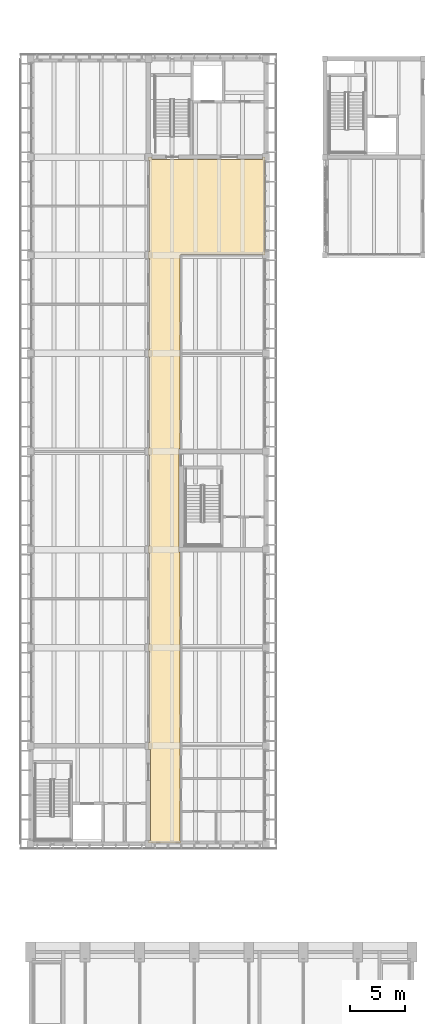
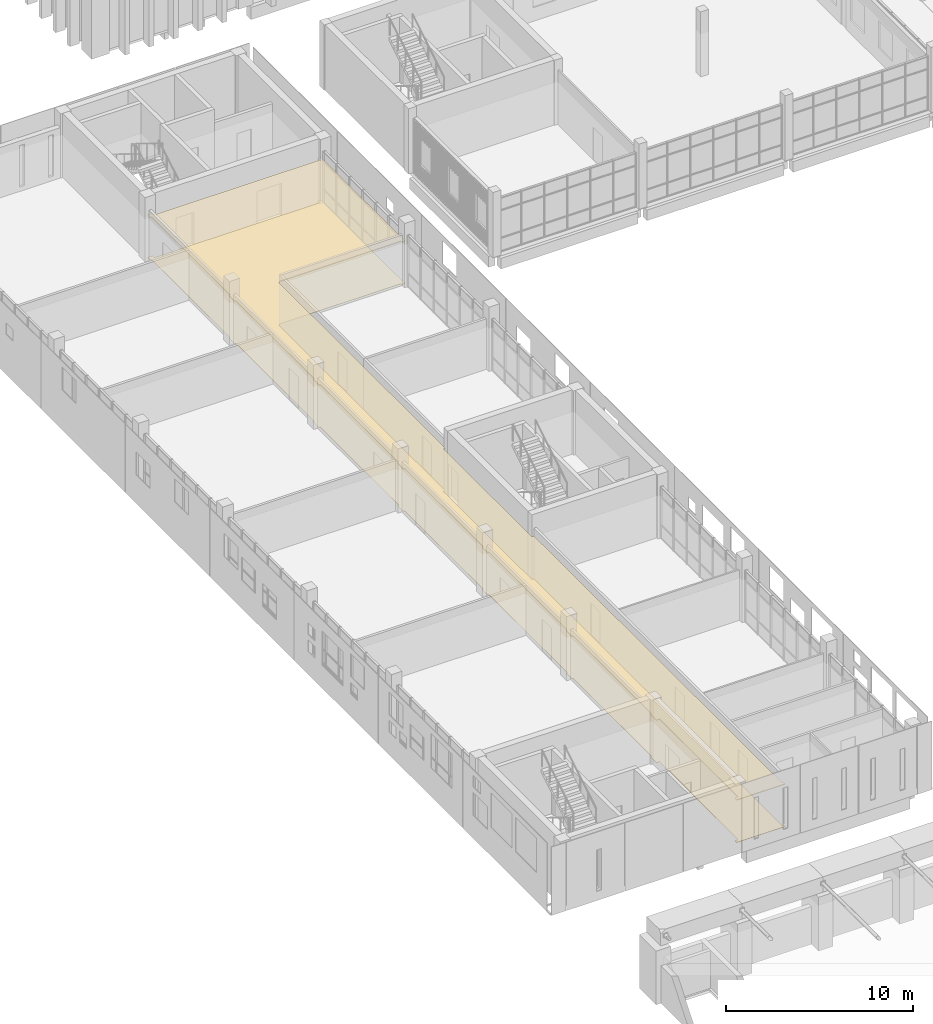
# One storey, part 78 of 92: 2 coverings.
"""IFC4 building model written with IfcOpenShell, lengths in metres."""

from ifc_helpers import new_model, si_unit, direction, frame, origin, place, context, subcontext, project, spatial, polyline, outline, extrude, material, layer, layer_set, type_object, element, save


model = new_model("IFC4")

# Units and contexts
model_context = context("Model", 3, precision=1e-05, world=origin(), true_north=direction((0.0, 1.0)))
body_context = subcontext(model_context, "Body", "Model", "MODEL_VIEW")
ifc_project = project(units=[si_unit("LENGTHUNIT", "METRE"), si_unit("AREAUNIT", "SQUARE_METRE"), si_unit("VOLUMEUNIT", "CUBIC_METRE"), si_unit("PLANEANGLEUNIT", "RADIAN"), si_unit("MASSUNIT", "GRAM", prefix="KILO")], contexts=[model_context])

# Site, building, storey
site_placement = place(None, origin())
site = spatial("IfcSite", under=ifc_project, at=site_placement, CompositionType="ELEMENT")
building_placement = place(site_placement, origin())
building = spatial("IfcBuilding", under=site, at=building_placement, Name="Merrow Basin Faculty of Sciences", CompositionType="ELEMENT")
storey_placement = place(building_placement, frame((0.0, 0.0, 4.5)))
storey = spatial("IfcBuildingStorey", under=building, at=storey_placement, Name="L01", CompositionType="ELEMENT", Elevation=4.5)

# Coverings
ifc_material_1 = material(Name="Polished terrazzo floor")
ifc_layer_1 = layer(ifc_material_1, 0.02001953125)
ifc_layer_set_1 = layer_set([ifc_layer_1], Name="Polished terrazzo floor")
covering_type_1 = type_object("IfcCoveringType", Name="Polished terrazzo floor", PredefinedType="FLOORING", material=ifc_layer_set_1)
covering_1_placement = place(storey_placement, origin())
element("IfcCovering", 1, at=covering_1_placement, inside=storey, type_object=covering_type_1, Name="Floor finish L01-B-026", PredefinedType="FLOORING", context=body_context, shape_type="SweptSolid", body=[
    extrude(outline(polyline([(11.114990234375, 123.989990234375), (11.114990234375, 123.7900390625), (21.284912109375, 123.7900390625), (21.284912109375, 123.989990234375), (21.489990234375, 123.989990234375), (21.489990234375, 115.010009765625), (21.284912109375, 115.010009765625), (21.284912109375, 115.0849609375), (13.7900390625, 115.0849609375), (13.7900390625, 115.010009765625), (13.715087890625, 115.010009765625), (13.715087890625, 97.2099609375), (13.590087890625, 97.2099609375), (13.590087890625, 96.800048828125), (13.590087890625, 88.2099609375), (13.590087890625, 87.7900390625), (13.715087890625, 87.7900390625), (13.715087890625, 61.2900390625), (13.7900390625, 61.2900390625), (13.7900390625, 61.110107421875), (10.81005859375, 61.110107421875), (10.81005859375, 61.31494140625), (11.010009765625, 61.31494140625), (11.010009765625, 69.68505859375), (10.81005859375, 69.68505859375), (10.81005859375, 70.31494140625), (10.885009765625, 70.31494140625), (10.885009765625, 78.68505859375), (10.81005859375, 78.68505859375), (10.81005859375, 79.31494140625), (10.885009765625, 79.31494140625), (10.885009765625, 87.68505859375), (10.81005859375, 87.68505859375), (10.81005859375, 88.31494140625), (10.885009765625, 88.31494140625), (10.885009765625, 96.68505859375), (10.81005859375, 96.68505859375), (10.81005859375, 97.31494140625), (10.885009765625, 97.31494140625), (10.885009765625, 105.68505859375), (10.81005859375, 105.68505859375), (10.81005859375, 106.31494140625), (10.885009765625, 106.31494140625), (10.885009765625, 114.68505859375), (10.81005859375, 114.68505859375), (10.81005859375, 115.31494140625), (10.885009765625, 115.31494140625), (10.885009765625, 123.68505859375), (10.81005859375, 123.68505859375), (10.81005859375, 123.989990234375), (11.114990234375, 123.989990234375)])), origin(), (0.0, 0.0, 1.0), 0.02001953125),
])
ifc_material_2 = material(Name="Mineral fibre ceiling tile")
ifc_layer_2 = layer(ifc_material_2, 0.050048828125)
ifc_layer_set_2 = layer_set([ifc_layer_2], Name="Suspended acoustic ceiling tile")
covering_type_2 = type_object("IfcCoveringType", Name="Suspended acoustic ceiling tile", PredefinedType="CEILING", material=ifc_layer_set_2)
covering_2_placement = place(storey_placement, frame((0.0, 0.0, 2.75)))
element("IfcCovering", 2, at=covering_2_placement, inside=storey, type_object=covering_type_2, Name="Ceiling L01-B-026", PredefinedType="CEILING", context=body_context, shape_type="SweptSolid", body=[
    extrude(outline(polyline([(11.114990234375, 123.989990234375), (11.114990234375, 123.7900390625), (21.284912109375, 123.7900390625), (21.284912109375, 123.989990234375), (21.489990234375, 123.989990234375), (21.489990234375, 115.010009765625), (21.284912109375, 115.010009765625), (21.284912109375, 115.0849609375), (13.7900390625, 115.0849609375), (13.7900390625, 115.010009765625), (13.715087890625, 115.010009765625), (13.715087890625, 97.2099609375), (13.590087890625, 97.2099609375), (13.590087890625, 96.800048828125), (13.590087890625, 88.2099609375), (13.590087890625, 87.7900390625), (13.715087890625, 87.7900390625), (13.715087890625, 61.2900390625), (13.7900390625, 61.2900390625), (13.7900390625, 61.110107421875), (10.81005859375, 61.110107421875), (10.81005859375, 61.31494140625), (11.010009765625, 61.31494140625), (11.010009765625, 69.68505859375), (10.81005859375, 69.68505859375), (10.81005859375, 70.31494140625), (10.885009765625, 70.31494140625), (10.885009765625, 78.68505859375), (10.81005859375, 78.68505859375), (10.81005859375, 79.31494140625), (10.885009765625, 79.31494140625), (10.885009765625, 87.68505859375), (10.81005859375, 87.68505859375), (10.81005859375, 88.31494140625), (10.885009765625, 88.31494140625), (10.885009765625, 96.68505859375), (10.81005859375, 96.68505859375), (10.81005859375, 97.31494140625), (10.885009765625, 97.31494140625), (10.885009765625, 105.68505859375), (10.81005859375, 105.68505859375), (10.81005859375, 106.31494140625), (10.885009765625, 106.31494140625), (10.885009765625, 114.68505859375), (10.81005859375, 114.68505859375), (10.81005859375, 115.31494140625), (10.885009765625, 115.31494140625), (10.885009765625, 123.68505859375), (10.81005859375, 123.68505859375), (10.81005859375, 123.989990234375), (11.114990234375, 123.989990234375)])), origin(), (0.0, 0.0, 1.0), 0.050048828125),
])

save(model, "model.ifc")
